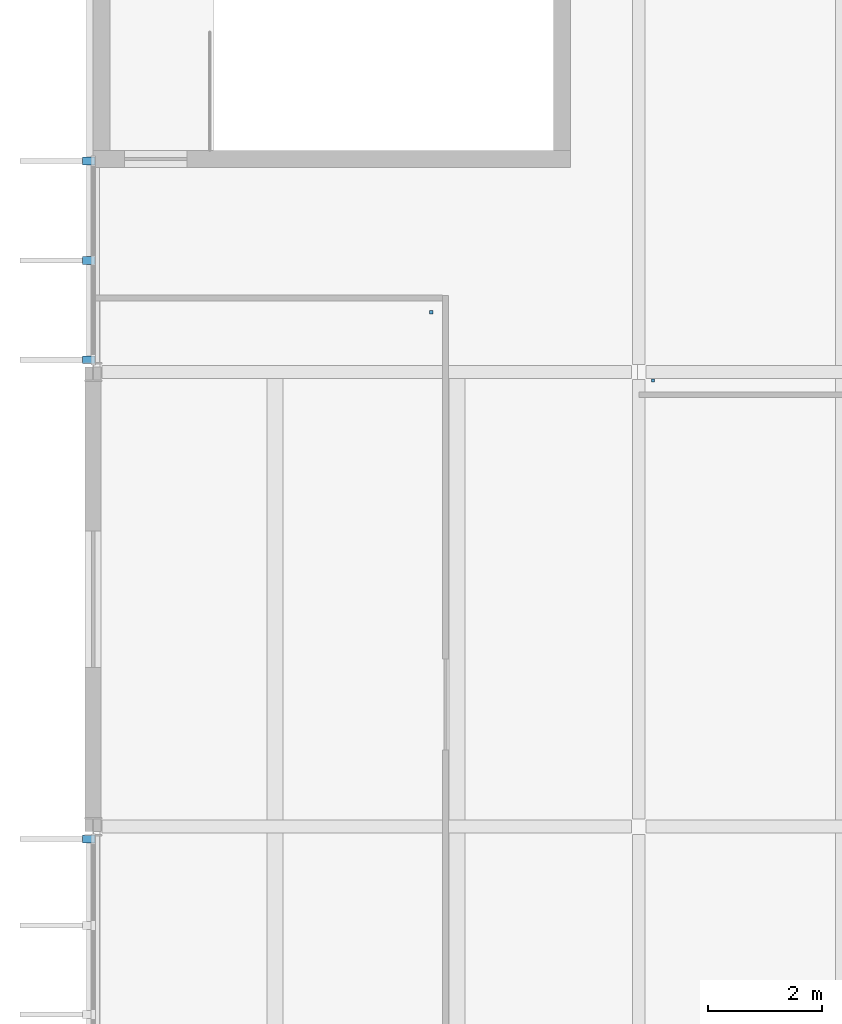
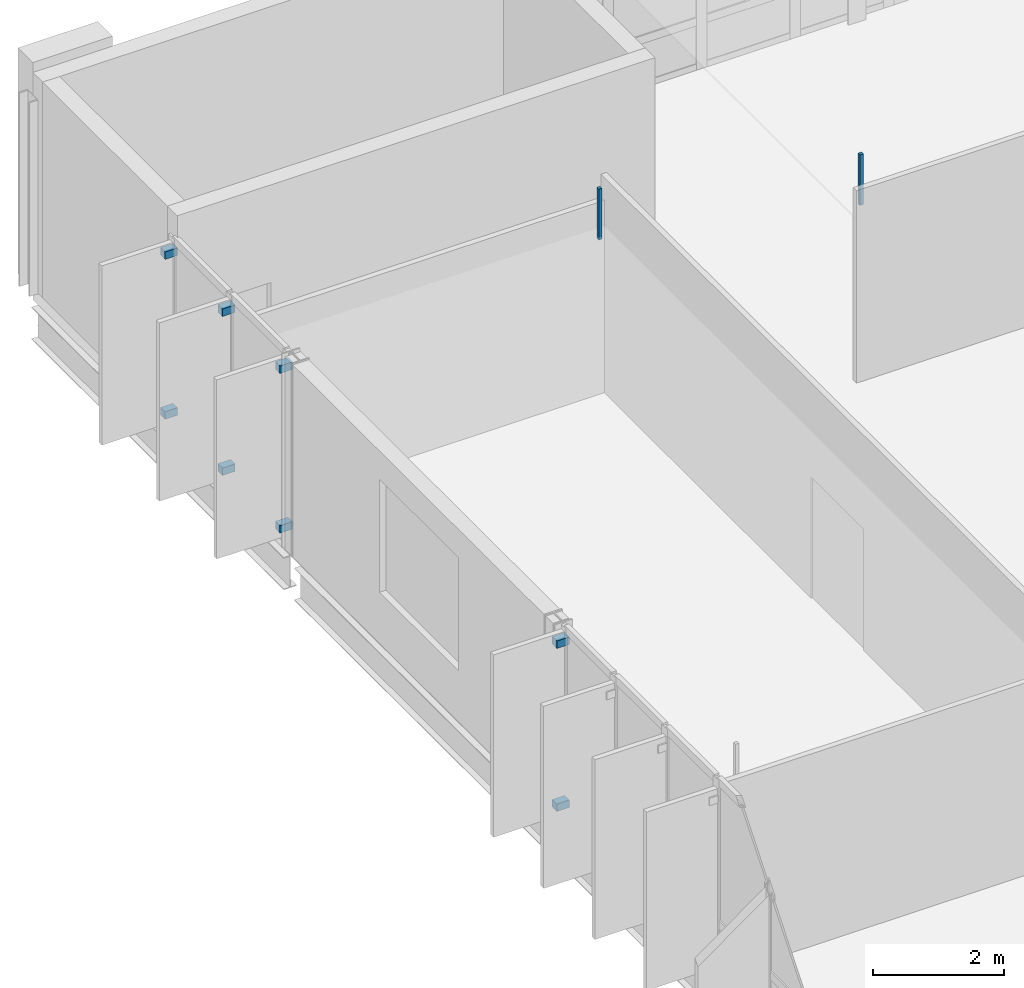
# One storey, part 17 of 22: 10 discrete accessories.
"""IFC4 building model written with IfcOpenShell, lengths in metres."""

from ifc_helpers import new_model, si_unit, direction, frame, origin, origin_2d, place, context, subcontext, project, spatial, polyline, rectangle, outline, extrude, material, type_object, element, save


model = new_model("IFC4")

# Units and contexts
model_context = context("Model", 3, precision=1e-05, world=origin(), true_north=direction((0.0, 1.0)))
body_context = subcontext(model_context, "Body", "Model", "MODEL_VIEW")
ifc_project = project(units=[si_unit("LENGTHUNIT", "METRE"), si_unit("AREAUNIT", "SQUARE_METRE"), si_unit("VOLUMEUNIT", "CUBIC_METRE"), si_unit("PLANEANGLEUNIT", "RADIAN"), si_unit("MASSUNIT", "GRAM", prefix="KILO")], contexts=[model_context])

# Site, building, storey
site_placement = place(None, origin())
site = spatial("IfcSite", under=ifc_project, at=site_placement, CompositionType="ELEMENT")
building_placement = place(site_placement, origin())
building = spatial("IfcBuilding", under=site, at=building_placement, Name="Dunescarp Central Library", CompositionType="ELEMENT")
storey_placement = place(building_placement, frame((0.0, 0.0, 27.60009765625)))
storey = spatial("IfcBuildingStorey", under=building, at=storey_placement, Name="L06", CompositionType="ELEMENT", Elevation=27.60009765625)

# Discrete accessories
ifc_material = material(Name="Stainless steel Grade 316L", Category="steel")
discrete_accessory_type = type_object("IfcDiscreteAccessoryType", Name="ARC-ACC-BRK", PredefinedType="BRACKET", material=ifc_material)
for number, where, z_axis, x_axis, name in (
    (1, (-0.080078125, 20.5849609375, 0.2158203125), (0.0, 0.0, 1.0), (-1.0, 0.0, 0.0), "Fin bracket BRK-FIN-L06-0308-B"),
    (2, (-0.080078125, 20.5849609375, 3.2451171875), (0.0, 0.0, 1.0), (-1.0, 0.0, 0.0), "Fin bracket BRK-FIN-L06-0308-T"),
    (3, (-0.080078125, 29.014892578125, 0.27685546875), (0.0, 0.0, 1.0), (-1.0, 0.0, 0.0), "Fin bracket BRK-FIN-L06-0309-B"),
    (4, (-0.080078125, 29.014892578125, 3.2451171875), (0.0, 0.0, 1.0), (-1.0, 0.0, 0.0), "Fin bracket BRK-FIN-L06-0309-T"),
    (5, (-0.080078125, 30.761962890625, 0.2900390625), (0.0, 0.0, 1.0), (-1.0, 0.0, 0.0), "Fin bracket BRK-FIN-L06-0310-B"),
    (6, (-0.080078125, 30.761962890625, 3.2451171875), (0.0, 0.0, 1.0), (-1.0, 0.0, 0.0), "Fin bracket BRK-FIN-L06-0310-T"),
    (7, (-0.080078125, 32.510009765625, 0.27392578125), (0.0, 0.0, 1.0), (-1.0, 0.0, 0.0), "Fin bracket BRK-FIN-L06-0311-B"),
    (8, (-0.080078125, 32.510009765625, 3.2451171875), (0.0, 0.0, 1.0), (-1.0, 0.0, 0.0), "Fin bracket BRK-FIN-L06-0311-T"),
):
    element("IfcDiscreteAccessory", number, at=place(storey_placement, frame(where, z_axis=z_axis, x_axis=x_axis)), inside=storey, type_object=discrete_accessory_type, Name=name, PredefinedType="BRACKET", context=body_context, shape_type="SweptSolid", body=[
        extrude(rectangle(XDim=0.219970703125, YDim=0.139892578125, at=origin_2d()), origin(), (0.0, 0.0, 1.0), 0.139892578125),
    ])
discrete_accessory_1_placement = place(storey_placement, frame((0.0, 0.0, 3.059814453125)))
element("IfcDiscreteAccessory", 9, at=discrete_accessory_1_placement, inside=storey, type_object=discrete_accessory_type, Name="L06 ceiling hanger CLG-L06-043-H2", PredefinedType="BRACKET", context=body_context, shape_type="SweptSolid", body=[
    extrude(outline(polyline([(5.919921875, 29.820068359375), (5.97998046875, 29.820068359375), (5.97998046875, 29.8798828125), (5.919921875, 29.8798828125), (5.919921875, 29.820068359375)])), origin(), (0.0, 0.0, 1.0), 0.940185546875),
])
discrete_accessory_2_placement = place(storey_placement, frame((0.0, 0.0, 3.059814453125)))
element("IfcDiscreteAccessory", 10, at=discrete_accessory_2_placement, inside=storey, type_object=discrete_accessory_type, Name="L06 ceiling hanger CLG-L06-044-H1", PredefinedType="BRACKET", context=body_context, shape_type="SweptSolid", body=[
    extrude(outline(polyline([(9.820068359375, 28.6201171875), (9.8798828125, 28.6201171875), (9.8798828125, 28.679931640625), (9.820068359375, 28.679931640625), (9.820068359375, 28.6201171875)])), origin(), (0.0, 0.0, 1.0), 0.940185546875),
])

save(model, "model.ifc")
